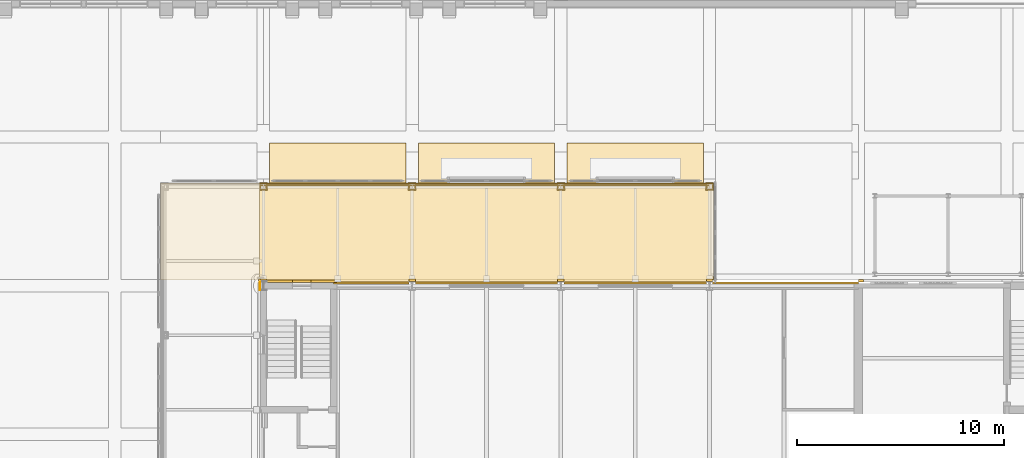
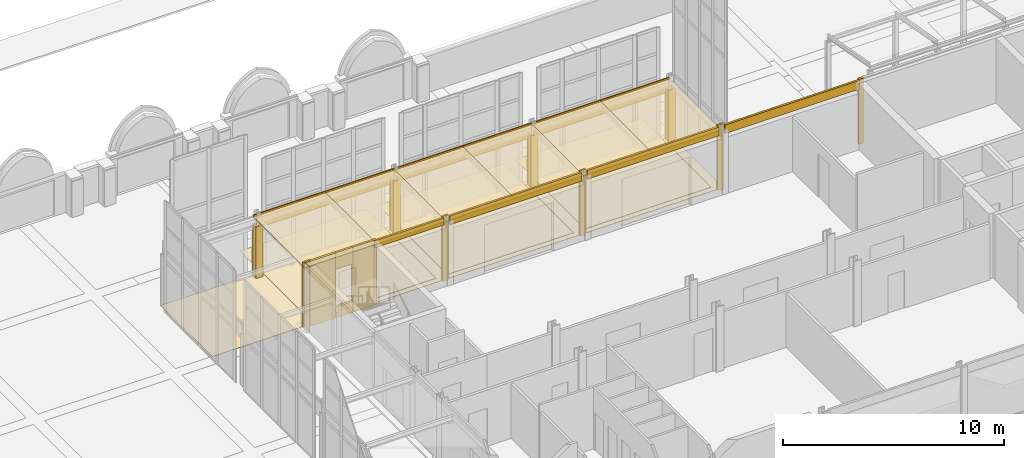
# One storey, part 120 of 143: 50 coverings.
"""IFC4 building model written with IfcOpenShell, lengths in metres."""

from ifc_helpers import new_model, si_unit, direction, frame, origin, origin_2d, place, context, subcontext, project, spatial, polyline, rectangle, outline, extrude, material, layer, layer_set, type_object, element, save


model = new_model("IFC4")

# Units and contexts
model_context = context("Model", 3, precision=1e-05, world=origin(), true_north=direction((0.0, 1.0)))
body_context = subcontext(model_context, "Body", "Model", "MODEL_VIEW")
ifc_project = project(units=[si_unit("LENGTHUNIT", "METRE"), si_unit("AREAUNIT", "SQUARE_METRE"), si_unit("VOLUMEUNIT", "CUBIC_METRE"), si_unit("PLANEANGLEUNIT", "RADIAN"), si_unit("MASSUNIT", "GRAM", prefix="KILO")], contexts=[model_context])

# Site, building, storey
site_placement = place(None, origin())
site = spatial("IfcSite", under=ifc_project, at=site_placement, CompositionType="ELEMENT")
building_placement = place(site_placement, origin())
building = spatial("IfcBuilding", under=site, at=building_placement, Name="Kupolbacken Congress Centre", CompositionType="ELEMENT")
storey_placement = place(building_placement, frame((0.0, 0.0, 7.199951171875)))
storey = spatial("IfcBuildingStorey", under=building, at=storey_placement, Name="L02", CompositionType="ELEMENT", Elevation=7.199951171875)

# Coverings
ifc_material_1 = material(Name="Limestone cladding", Category="masonry")
ifc_layer_1 = layer(ifc_material_1, 0.1201171875)
ifc_layer_set_1 = layer_set([ifc_layer_1], Name="Limestone cladding")
covering_type_1 = type_object("IfcCoveringType", Name="CV1 limestone cladding band 120", PredefinedType="CLADDING", material=ifc_layer_set_1)
covering_1_placement = place(storey_placement, frame((90.07666015625, 144.137451171875, 3.1201171875), z_axis=(0.0, 0.0, 1.0), x_axis=(-1.0, 0.0, 0.0)))
element("IfcCovering", 1, at=covering_1_placement, inside=storey, type_object=covering_type_1, Name="E/T/N/L02/019/band", PredefinedType="CLADDING", context=body_context, shape_type="SweptSolid", body=[
    extrude(rectangle(XDim=7.04638671875, YDim=0.10498046875, at=origin_2d()), origin(), (0.0, 0.0, 1.0), 0.47998046875),
])
for number, where, z_axis, x_axis, name in (
    (2, (82.800048828125, 144.137451171875, 3.1201171875), (0.0, 0.0, 1.0), (-1.0, 0.0, 0.0), "E/T/N/L02/020/band"),
    (3, (75.60009765625, 144.137451171875, 3.1201171875), (0.0, 0.0, 1.0), (-1.0, 0.0, 0.0), "E/T/N/L02/021/band"),
):
    element("IfcCovering", number, at=place(storey_placement, frame(where, z_axis=z_axis, x_axis=x_axis)), inside=storey, type_object=covering_type_1, Name=name, PredefinedType="CLADDING", context=body_context, shape_type="SweptSolid", body=[
        extrude(rectangle(XDim=6.89306640625, YDim=0.10498046875, at=origin_2d()), origin(), (0.0, 0.0, 1.0), 0.47998046875),
    ])
covering_2_placement = place(storey_placement, frame((70.023193359375, 144.137451171875, 3.22021484375), z_axis=(0.0, 0.0, 1.0), x_axis=(-1.0, 0.0, 0.0)))
element("IfcCovering", 4, at=covering_2_placement, inside=storey, type_object=covering_type_1, Name="E/T/N/L02/022/band", PredefinedType="CLADDING", context=body_context, shape_type="SweptSolid", body=[
    extrude(rectangle(XDim=3.646484375, YDim=0.10498046875, at=origin_2d()), origin(), (0.0, 0.0, 1.0), 0.3798828125),
])
for number, where, z_axis, x_axis, name in (
    (5, (64.800048828125, 148.945068359375, 0.0), (0.0, 0.0, 1.0), (1.0, 0.0, 0.0), "E/T/portico/N/col64.8/cladn"),
    (6, (64.800048828125, 148.655029296875, 0.0), (0.0, 0.0, 1.0), (1.0, 0.0, 0.0), "E/T/portico/N/col64.8/clads"),
):
    element("IfcCovering", number, at=place(storey_placement, frame(where, z_axis=z_axis, x_axis=x_axis)), inside=storey, type_object=covering_type_1, Name=name, PredefinedType="CLADDING", context=body_context, shape_type="SweptSolid", body=[
        extrude(rectangle(XDim=0.360107421875, YDim=0.06005859375, at=origin_2d()), origin(), (0.0, 0.0, 1.0), 2.8701171875),
    ])
for number, where, z_axis, x_axis, name in (
    (7, (64.949951171875, 148.800048828125, 0.0), (0.0, 0.0, 1.0), (1.0, 0.0, 0.0), "E/T/portico/N/col64.8/clade"),
    (8, (64.64990234375, 148.800048828125, 0.0), (0.0, 0.0, 1.0), (1.0, 0.0, 0.0), "E/T/portico/N/col64.8/cladw"),
):
    element("IfcCovering", number, at=place(storey_placement, frame(where, z_axis=z_axis, x_axis=x_axis)), inside=storey, type_object=covering_type_1, Name=name, PredefinedType="CLADDING", context=body_context, shape_type="SweptSolid", body=[
        extrude(rectangle(XDim=0.06005859375, YDim=0.22998046875, at=origin_2d()), origin(), (0.0, 0.0, 1.0), 2.8701171875),
    ])
for number, where, z_axis, x_axis, name in (
    (9, (72.0, 148.945068359375, 0.0), (0.0, 0.0, 1.0), (1.0, 0.0, 0.0), "E/T/portico/N/col72/cladn"),
    (10, (72.0, 148.655029296875, 0.0), (0.0, 0.0, 1.0), (1.0, 0.0, 0.0), "E/T/portico/N/col72/clads"),
):
    element("IfcCovering", number, at=place(storey_placement, frame(where, z_axis=z_axis, x_axis=x_axis)), inside=storey, type_object=covering_type_1, Name=name, PredefinedType="CLADDING", context=body_context, shape_type="SweptSolid", body=[
        extrude(rectangle(XDim=0.360107421875, YDim=0.06005859375, at=origin_2d()), origin(), (0.0, 0.0, 1.0), 2.8701171875),
    ])
for number, where, z_axis, x_axis, name in (
    (11, (72.14990234375, 148.800048828125, 0.0), (0.0, 0.0, 1.0), (1.0, 0.0, 0.0), "E/T/portico/N/col72/clade"),
    (12, (71.85009765625, 148.800048828125, 0.0), (0.0, 0.0, 1.0), (1.0, 0.0, 0.0), "E/T/portico/N/col72/cladw"),
):
    element("IfcCovering", number, at=place(storey_placement, frame(where, z_axis=z_axis, x_axis=x_axis)), inside=storey, type_object=covering_type_1, Name=name, PredefinedType="CLADDING", context=body_context, shape_type="SweptSolid", body=[
        extrude(rectangle(XDim=0.06005859375, YDim=0.22998046875, at=origin_2d()), origin(), (0.0, 0.0, 1.0), 2.8701171875),
    ])
for number, where, z_axis, x_axis, name in (
    (13, (79.199951171875, 148.945068359375, 0.0), (0.0, 0.0, 1.0), (1.0, 0.0, 0.0), "E/T/portico/N/col79.2/cladn"),
    (14, (79.199951171875, 148.655029296875, 0.0), (0.0, 0.0, 1.0), (1.0, 0.0, 0.0), "E/T/portico/N/col79.2/clads"),
):
    element("IfcCovering", number, at=place(storey_placement, frame(where, z_axis=z_axis, x_axis=x_axis)), inside=storey, type_object=covering_type_1, Name=name, PredefinedType="CLADDING", context=body_context, shape_type="SweptSolid", body=[
        extrude(rectangle(XDim=0.360107421875, YDim=0.06005859375, at=origin_2d()), origin(), (0.0, 0.0, 1.0), 2.8701171875),
    ])
for number, where, z_axis, x_axis, name in (
    (15, (79.35009765625, 148.800048828125, 0.0), (0.0, 0.0, 1.0), (1.0, 0.0, 0.0), "E/T/portico/N/col79.2/clade"),
    (16, (79.050048828125, 148.800048828125, 0.0), (0.0, 0.0, 1.0), (1.0, 0.0, 0.0), "E/T/portico/N/col79.2/cladw"),
):
    element("IfcCovering", number, at=place(storey_placement, frame(where, z_axis=z_axis, x_axis=x_axis)), inside=storey, type_object=covering_type_1, Name=name, PredefinedType="CLADDING", context=body_context, shape_type="SweptSolid", body=[
        extrude(rectangle(XDim=0.06005859375, YDim=0.22998046875, at=origin_2d()), origin(), (0.0, 0.0, 1.0), 2.8701171875),
    ])
for number, where, z_axis, x_axis, name in (
    (17, (86.39990234375, 148.945068359375, 0.0), (0.0, 0.0, 1.0), (1.0, 0.0, 0.0), "E/T/portico/N/col86.4/cladn"),
    (18, (86.39990234375, 148.655029296875, 0.0), (0.0, 0.0, 1.0), (1.0, 0.0, 0.0), "E/T/portico/N/col86.4/clads"),
):
    element("IfcCovering", number, at=place(storey_placement, frame(where, z_axis=z_axis, x_axis=x_axis)), inside=storey, type_object=covering_type_1, Name=name, PredefinedType="CLADDING", context=body_context, shape_type="SweptSolid", body=[
        extrude(rectangle(XDim=0.360107421875, YDim=0.06005859375, at=origin_2d()), origin(), (0.0, 0.0, 1.0), 2.8701171875),
    ])
for number, where, z_axis, x_axis, name in (
    (19, (86.550048828125, 148.800048828125, 0.0), (0.0, 0.0, 1.0), (1.0, 0.0, 0.0), "E/T/portico/N/col86.4/clade"),
    (20, (86.25, 148.800048828125, 0.0), (0.0, 0.0, 1.0), (1.0, 0.0, 0.0), "E/T/portico/N/col86.4/cladw"),
):
    element("IfcCovering", number, at=place(storey_placement, frame(where, z_axis=z_axis, x_axis=x_axis)), inside=storey, type_object=covering_type_1, Name=name, PredefinedType="CLADDING", context=body_context, shape_type="SweptSolid", body=[
        extrude(rectangle(XDim=0.06005859375, YDim=0.22998046875, at=origin_2d()), origin(), (0.0, 0.0, 1.0), 2.8701171875),
    ])
for number, where, z_axis, x_axis, name in (
    (21, (68.39990234375, 148.929931640625, 2.5703125), (0.0, 0.0, 1.0), (1.0, 0.0, 0.0), "E/T/portico/N/fascia64.8"),
    (22, (75.60009765625, 148.929931640625, 2.5703125), (0.0, 0.0, 1.0), (1.0, 0.0, 0.0), "E/T/portico/N/fascia72"),
    (23, (82.800048828125, 148.929931640625, 2.5703125), (0.0, 0.0, 1.0), (1.0, 0.0, 0.0), "E/T/portico/N/fascia79.2"),
):
    element("IfcCovering", number, at=place(storey_placement, frame(where, z_axis=z_axis, x_axis=x_axis)), inside=storey, type_object=covering_type_1, Name=name, PredefinedType="CLADDING", context=body_context, shape_type="SweptSolid", body=[
        extrude(rectangle(XDim=7.199951171875, YDim=0.080078125, at=origin_2d()), origin(), (0.0, 0.0, 1.0), 0.699951171875),
    ])
covering_3_placement = place(storey_placement, frame((64.60009765625, 144.27490234375, 0.0), z_axis=(0.0, 0.0, 1.0), x_axis=(1.0, 0.0, 0.0)))
element("IfcCovering", 24, at=covering_3_placement, inside=storey, type_object=covering_type_1, Name="E/T/pilaster/L02/C-T-10W/corner", PredefinedType="CLADDING", context=body_context, shape_type="SweptSolid", body=[
    extrude(rectangle(XDim=0.10009765625, YDim=0.10009765625, at=origin_2d()), origin(), (0.0, 0.0, 1.0), 3.60009765625),
])
covering_4_placement = place(storey_placement, frame((64.800048828125, 144.27490234375, 0.0), z_axis=(0.0, 0.0, 1.0), x_axis=(1.0, 0.0, 0.0)))
element("IfcCovering", 25, at=covering_4_placement, inside=storey, type_object=covering_type_1, Name="E/T/pilaster/L02/C-T-10W/N", PredefinedType="CLADDING", context=body_context, shape_type="SweptSolid", body=[
    extrude(rectangle(XDim=0.300048828125, YDim=0.10009765625, at=origin_2d()), origin(), (0.0, 0.0, 1.0), 3.60009765625),
])
covering_5_placement = place(storey_placement, frame((64.6298828125, 144.0, 0.0), z_axis=(0.0, 0.0, 1.0), x_axis=(1.0, 0.0, 0.0)))
element("IfcCovering", 26, at=covering_5_placement, inside=storey, type_object=covering_type_1, Name="E/T/pilaster/L02/C-T-10W/W", PredefinedType="CLADDING", context=body_context, shape_type="SweptSolid", body=[
    extrude(rectangle(XDim=0.0400390625, YDim=0.449951171875, at=origin_2d()), origin(), (0.0, 0.0, 1.0), 3.60009765625),
])
for number, where, z_axis, x_axis, name in (
    (27, (72.0, 144.26611328125, 0.0), (0.0, 0.0, 1.0), (1.0, 0.0, 0.0), "E/T/pilaster/L02/C-T-11W/N"),
    (28, (79.199951171875, 144.26611328125, 0.0), (0.0, 0.0, 1.0), (1.0, 0.0, 0.0), "E/T/pilaster/L02/C-T-12W/N"),
    (29, (86.39990234375, 144.26611328125, 0.0), (0.0, 0.0, 1.0), (1.0, 0.0, 0.0), "E/T/pilaster/L02/C-T-13W/N"),
):
    element("IfcCovering", number, at=place(storey_placement, frame(where, z_axis=z_axis, x_axis=x_axis)), inside=storey, type_object=covering_type_1, Name=name, PredefinedType="CLADDING", context=body_context, shape_type="SweptSolid", body=[
        extrude(rectangle(XDim=0.306884765625, YDim=0.10009765625, at=origin_2d()), origin(), (0.0, 0.0, 1.0), 3.60009765625),
    ])
covering_6_placement = place(storey_placement, frame((67.72509765625, 144.2099609375, 0.0), z_axis=(0.0, 0.0, 1.0), x_axis=(-1.0, 0.0, 0.0)))
element("IfcCovering", 30, at=covering_6_placement, inside=storey, type_object=covering_type_1, Name="S/core/L02/125/face0", PredefinedType="CLADDING", context=body_context, shape_type="SweptSolid", body=[
    extrude(rectangle(XDim=1.25, YDim=0.1201171875, at=origin_2d()), origin(), (0.0, 0.0, 1.0), 3.60009765625),
])
covering_7_placement = place(storey_placement, frame((65.425048828125, 144.2099609375, 0.0), z_axis=(0.0, 0.0, 1.0), x_axis=(-1.0, 0.0, 0.0)))
element("IfcCovering", 31, at=covering_7_placement, inside=storey, type_object=covering_type_1, Name="S/core/L02/125/face1", PredefinedType="CLADDING", context=body_context, shape_type="SweptSolid", body=[
    extrude(rectangle(XDim=1.550048828125, YDim=0.1201171875, at=origin_2d()), origin(), (0.0, 0.0, 1.0), 3.60009765625),
])
covering_8_placement = place(storey_placement, frame((66.64990234375, 144.2099609375, 0.0), z_axis=(0.0, 0.0, 1.0), x_axis=(-1.0, 0.0, 0.0)))
element("IfcCovering", 32, at=covering_8_placement, inside=storey, type_object=covering_type_1, Name="S/core/L02/125/face2", PredefinedType="CLADDING", context=body_context, shape_type="SweptSolid", body=[
    extrude(rectangle(XDim=0.89990234375, YDim=0.1201171875, at=origin_2d()), origin(), (0.0, 0.0, 1.0), 0.60009765625),
])
covering_9_placement = place(storey_placement, frame((66.64990234375, 144.2099609375, 2.7001953125), z_axis=(0.0, 0.0, 1.0), x_axis=(-1.0, 0.0, 0.0)))
element("IfcCovering", 33, at=covering_9_placement, inside=storey, type_object=covering_type_1, Name="S/core/L02/125/face3", PredefinedType="CLADDING", context=body_context, shape_type="SweptSolid", body=[
    extrude(rectangle(XDim=0.89990234375, YDim=0.1201171875, at=origin_2d()), origin(), (0.0, 0.0, 1.0), 0.89990234375),
])
covering_10_placement = place(storey_placement, frame((93.72509765625, 144.235107421875, 0.0), z_axis=(0.0, 0.0, 1.0), x_axis=(1.0, 0.0, 0.0)))
element("IfcCovering", 34, at=covering_10_placement, inside=storey, type_object=covering_type_1, Name="E/T/stripe/N/L02/pil93.6", PredefinedType="CLADDING", context=body_context, shape_type="SweptSolid", body=[
    extrude(rectangle(XDim=0.25, YDim=0.1201171875, at=origin_2d()), origin(), (0.0, 0.0, 1.0), 3.60009765625),
])
ifc_material_2 = material(Name="Glass", Category="glass")
ifc_layer_2 = layer(ifc_material_2, 0.0439453125)
ifc_layer_set_2 = layer_set([ifc_layer_2], Name="Glass")
covering_type_2 = type_object("IfcCoveringType", Name="GC1 glazed canopy roof 44", PredefinedType="ROOFING", material=ifc_layer_set_2)
covering_11_placement = place(storey_placement, frame((66.5048828125, 146.5400390625, 3.27001953125), z_axis=(0.0, 0.0, 1.0), x_axis=(1.0, 0.0, 0.0)))
element("IfcCovering", 35, at=covering_11_placement, inside=storey, type_object=covering_type_2, Name="Portico glass", PredefinedType="ROOFING", context=body_context, shape_type="SweptSolid", body=[
    extrude(rectangle(XDim=3.7900390625, YDim=4.699951171875, at=origin_2d()), origin(), (0.0, 0.0, 1.0), 0.0439453125),
])
for number, where, z_axis, x_axis, name in (
    (36, (70.199951171875, 146.5400390625, 3.27001953125), (0.0, 0.0, 1.0), (1.0, 0.0, 0.0), "Portico glass"),
    (37, (73.800048828125, 146.5400390625, 3.27001953125), (0.0, 0.0, 1.0), (1.0, 0.0, 0.0), "Portico glass"),
    (38, (77.39990234375, 146.5400390625, 3.27001953125), (0.0, 0.0, 1.0), (1.0, 0.0, 0.0), "Portico glass"),
    (39, (81.0, 146.5400390625, 3.27001953125), (0.0, 0.0, 1.0), (1.0, 0.0, 0.0), "Portico glass"),
    (40, (84.60009765625, 146.5400390625, 3.27001953125), (0.0, 0.0, 1.0), (1.0, 0.0, 0.0), "Portico glass"),
):
    element("IfcCovering", number, at=place(storey_placement, frame(where, z_axis=z_axis, x_axis=x_axis)), inside=storey, type_object=covering_type_2, Name=name, PredefinedType="ROOFING", context=body_context, shape_type="SweptSolid", body=[
        extrude(rectangle(XDim=3.60009765625, YDim=4.699951171875, at=origin_2d()), origin(), (0.0, 0.0, 1.0), 0.0439453125),
    ])
ifc_material_3 = material(Name="Limestone cladding", Category="masonry")
ifc_layer_3 = layer(ifc_material_3, 0.02001953125)
ifc_layer_set_3 = layer_set([ifc_layer_3], Name="Limestone cladding")
covering_type_3 = type_object("IfcCoveringType", Name="GF1 limestone paving 20", PredefinedType="FLOORING", material=ifc_layer_set_3)
covering_12_placement = place(storey_placement, origin())
element("IfcCovering", 41, at=covering_12_placement, inside=storey, type_object=covering_type_3, Name="Arrival deck limestone paving", PredefinedType="FLOORING", context=body_context, shape_type="SweptSolid", body=[
    extrude(outline(polyline([(79.5, 144.574951171875), (79.5, 150.89990234375), (86.10009765625, 150.89990234375), (86.10009765625, 144.574951171875), (79.5, 144.574951171875)])), origin(), (0.0, 0.0, 1.0), 0.02001953125),
])
covering_13_placement = place(storey_placement, origin())
element("IfcCovering", 42, at=covering_13_placement, inside=storey, type_object=covering_type_3, Name="Arrival deck limestone paving", PredefinedType="FLOORING", context=body_context, shape_type="SweptSolid", body=[
    extrude(outline(polyline([(72.300048828125, 144.574951171875), (72.300048828125, 150.89990234375), (78.89990234375, 150.89990234375), (78.89990234375, 144.574951171875), (72.300048828125, 144.574951171875)])), origin(), (0.0, 0.0, 1.0), 0.02001953125),
])
covering_14_placement = place(storey_placement, origin())
element("IfcCovering", 43, at=covering_14_placement, inside=storey, type_object=covering_type_3, Name="Arrival deck limestone paving", PredefinedType="FLOORING", context=body_context, shape_type="SweptSolid", body=[
    extrude(outline(polyline([(65.10009765625, 144.574951171875), (65.10009765625, 150.89990234375), (71.699951171875, 150.89990234375), (71.699951171875, 144.574951171875), (65.10009765625, 144.574951171875)])), origin(), (0.0, 0.0, 1.0), 0.02001953125),
])
covering_15_placement = place(storey_placement, frame((73.199951171875, 146.625, 0.0), z_axis=(0.0, 0.0, 1.0), x_axis=(1.0, 0.0, 0.0)))
element("IfcCovering", 44, at=covering_15_placement, inside=storey, type_object=covering_type_3, Name="E/T/paving/vest", PredefinedType="FLOORING", context=body_context, shape_type="SweptSolid", body=[
    extrude(rectangle(XDim=26.760009765625, YDim=4.68994140625, at=origin_2d()), origin(), (0.0, 0.0, 1.0), 0.02001953125),
])
ifc_material_4 = material(Name="Steel S355", Category="steel")
ifc_layer_4 = layer(ifc_material_4, 0.06005859375)
ifc_layer_set_4 = layer_set([ifc_layer_4], Name="Steel S355")
covering_type_4 = type_object("IfcCoveringType", Name="SG1 snow guard bar 60 x 100", PredefinedType="CLADDING", material=ifc_layer_set_4)
covering_16_placement = place(storey_placement, frame((66.5048828125, 148.860107421875, 3.31396484375), z_axis=(0.0, 0.0, 1.0), x_axis=(1.0, 0.0, 0.0)))
element("IfcCovering", 45, at=covering_16_placement, inside=storey, type_object=covering_type_4, Name="Snow guard", PredefinedType="CLADDING", context=body_context, shape_type="SweptSolid", body=[
    extrude(rectangle(XDim=3.7900390625, YDim=0.06005859375, at=origin_2d()), origin(), (0.0, 0.0, 1.0), 0.10009765625),
])
for number, where, z_axis, x_axis, name in (
    (46, (70.199951171875, 148.860107421875, 3.31396484375), (0.0, 0.0, 1.0), (1.0, 0.0, 0.0), "Snow guard"),
    (47, (73.800048828125, 148.860107421875, 3.31396484375), (0.0, 0.0, 1.0), (1.0, 0.0, 0.0), "Snow guard"),
    (48, (77.39990234375, 148.860107421875, 3.31396484375), (0.0, 0.0, 1.0), (1.0, 0.0, 0.0), "Snow guard"),
    (49, (81.0, 148.860107421875, 3.31396484375), (0.0, 0.0, 1.0), (1.0, 0.0, 0.0), "Snow guard"),
    (50, (84.60009765625, 148.860107421875, 3.31396484375), (0.0, 0.0, 1.0), (1.0, 0.0, 0.0), "Snow guard"),
):
    element("IfcCovering", number, at=place(storey_placement, frame(where, z_axis=z_axis, x_axis=x_axis)), inside=storey, type_object=covering_type_4, Name=name, PredefinedType="CLADDING", context=body_context, shape_type="SweptSolid", body=[
        extrude(rectangle(XDim=3.60009765625, YDim=0.06005859375, at=origin_2d()), origin(), (0.0, 0.0, 1.0), 0.10009765625),
    ])

save(model, "model.ifc")
